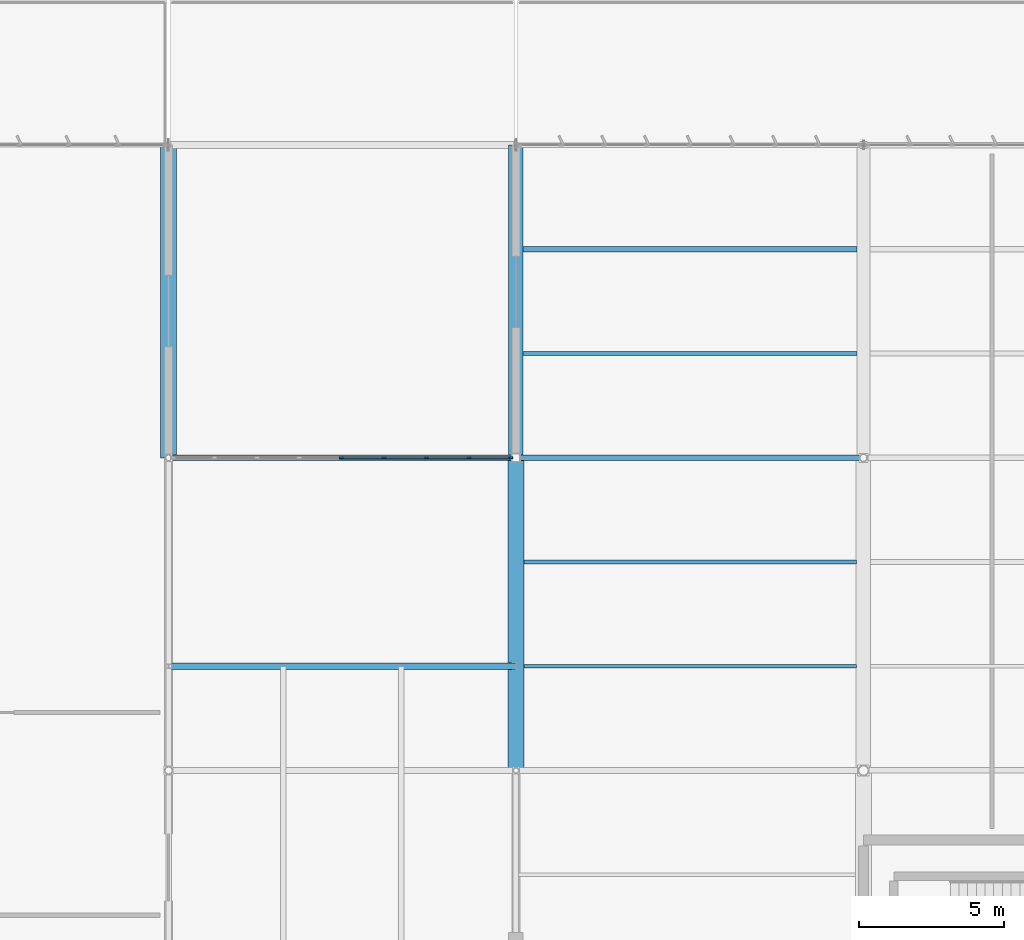
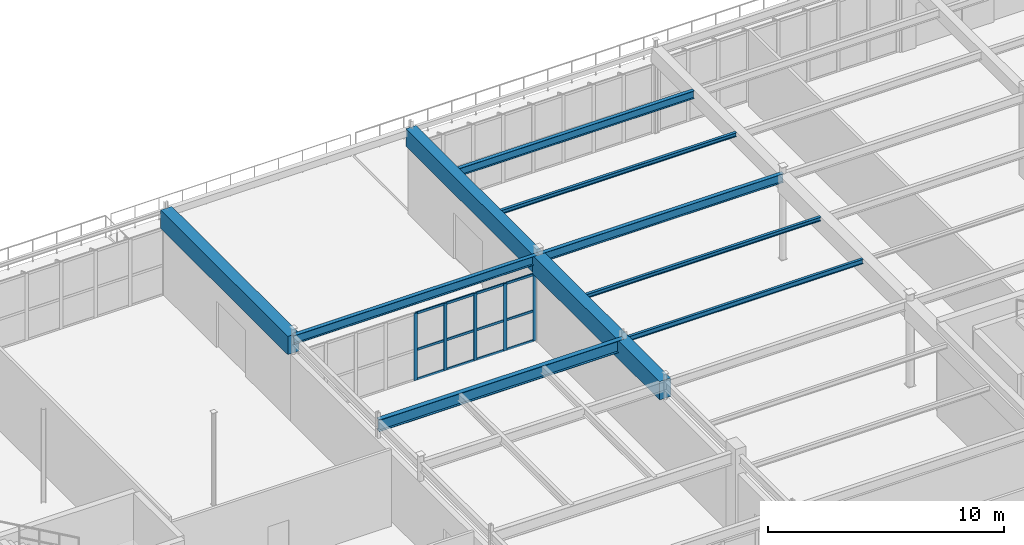
# One storey, part 107 of 199: 17 members, 10 beams, 1 element without a shape of its own.
"""IFC4 building model written with IfcOpenShell, lengths in metres."""

from ifc_helpers import new_model, si_unit, direction, frame, origin, origin_2d, place, context, subcontext, project, spatial, rectangle, i_section, extrude, material, layer, layer_set, material_profile, profile_set, type_object, element, aggregate, save


model = new_model("IFC4")

# Units and contexts
model_context = context("Model", 3, precision=1e-05, world=origin(), true_north=direction((0.0, 1.0)))
body_context = subcontext(model_context, "Body", "Model", "MODEL_VIEW")
ifc_project = project(units=[si_unit("LENGTHUNIT", "METRE"), si_unit("AREAUNIT", "SQUARE_METRE"), si_unit("VOLUMEUNIT", "CUBIC_METRE"), si_unit("PLANEANGLEUNIT", "RADIAN"), si_unit("MASSUNIT", "GRAM", prefix="KILO")], contexts=[model_context])

# Site, building, storey
site_placement = place(None, origin())
site = spatial("IfcSite", under=ifc_project, at=site_placement, CompositionType="ELEMENT")
building_placement = place(site_placement, origin())
building = spatial("IfcBuilding", under=site, at=building_placement, Name="Tarnwether General Hospital", CompositionType="ELEMENT")
storey_placement = place(building_placement, origin())
storey = spatial("IfcBuildingStorey", under=building, at=storey_placement, Name="L00", CompositionType="ELEMENT", Elevation=0.0)

# Beams
ifc_material_1 = material(Name="Steel Grade 350 (350 MPa)", Category="steel")
ifc_material_profile_1 = material_profile(ifc_material_1, i_section(OverallWidth=0.22900390625, OverallDepth=0.612060546875, WebThickness=0.011962890625, FlangeThickness=0.01953125, at=origin_2d()), Name="610UB125")
ifc_profile_set_1 = profile_set([ifc_material_profile_1], Name="Steel Grade 350 (350 MPa)")
beam_type_1 = type_object("IfcBeamType", Name="BM-G03", PredefinedType="BEAM", material=ifc_profile_set_1)
beam_1_placement = place(storey_placement, frame((132.0, 108.0, 4.138916015625), z_axis=(1.0, 0.0, 0.0), x_axis=(0.0, 1.0, 0.0)))
element("IfcBeam", 1, at=beam_1_placement, inside=storey, type_object=beam_type_1, Name="Court Link Bridge Girder North BMG-L00-13200_10800-14400_10800-1859", PredefinedType="BEAM", context=body_context, shape_type="SweptSolid", body=[
    extrude(i_section(OverallWidth=0.22900390625, OverallDepth=0.612060546875, WebThickness=0.011962890625, FlangeThickness=0.01953125, at=origin_2d()), origin(), (0.0, 0.0, 1.0), 12.0),
])
ifc_material_2 = material(Name="Steel Grade 350 (350 MPa)", Category="steel")
ifc_material_profile_2 = material_profile(ifc_material_2, i_section(OverallWidth=0.19091796875, OverallDepth=0.4599609375, WebThickness=0.010009765625, FlangeThickness=0.01611328125, at=origin_2d()), Name="460UB82.1")
ifc_profile_set_2 = profile_set([ifc_material_profile_2], Name="Steel Grade 350 (350 MPa)")
beam_type_2 = type_object("IfcBeamType", Name="BM-G08", PredefinedType="BEAM", material=ifc_profile_set_2)
beam_2_placement = place(storey_placement, frame((132.0, 115.199951171875, 4.215087890625), z_axis=(1.0, 0.0, 0.0), x_axis=(0.0, 1.0, 0.0)))
element("IfcBeam", 2, at=beam_2_placement, inside=storey, type_object=beam_type_2, Name="Primary Girder BMG-L00-13200_11520-14400_11520-0781", PredefinedType="BEAM", context=body_context, shape_type="SweptSolid", body=[
    extrude(i_section(OverallWidth=0.19091796875, OverallDepth=0.4599609375, WebThickness=0.010009765625, FlangeThickness=0.01611328125, at=origin_2d()), origin(), (0.0, 0.0, 1.0), 12.0),
])
ifc_material_3 = material(Name="Steel Grade 350 (350 MPa)", Category="steel")
ifc_material_profile_3 = material_profile(ifc_material_3, i_section(OverallWidth=0.18994140625, OverallDepth=0.45703125, WebThickness=0.009033203125, FlangeThickness=0.014404296875, at=origin_2d()), Name="460UB74.6")
ifc_profile_set_3 = profile_set([ifc_material_profile_3], Name="Steel Grade 350 (350 MPa)")
beam_type_3 = type_object("IfcBeamType", Name="BM-G09", PredefinedType="BEAM", material=ifc_profile_set_3)
beam_3_placement = place(storey_placement, frame((144.0, 115.199951171875, 4.216552734375), z_axis=(1.0, 0.0, 0.0), x_axis=(0.0, 1.0, 0.0)))
element("IfcBeam", 3, at=beam_3_placement, inside=storey, type_object=beam_type_3, Name="Primary Girder BMG-L00-14400_11520-15600_11520-0802", PredefinedType="BEAM", context=body_context, shape_type="SweptSolid", body=[
    extrude(i_section(OverallWidth=0.18994140625, OverallDepth=0.45703125, WebThickness=0.009033203125, FlangeThickness=0.014404296875, at=origin_2d()), origin(), (0.0, 0.0, 1.0), 12.0),
])
ifc_material_4 = material(Name="Concrete 40 MPa", Category="concrete")
ifc_material_profile_4 = material_profile(ifc_material_4, rectangle(XDim=0.550048828125, YDim=0.949951171875, at=origin_2d()), Name="RC-BM-550x950")
ifc_profile_set_4 = profile_set([ifc_material_profile_4], Name="Concrete 40 MPa")
beam_type_4 = type_object("IfcBeamType", Name="BM-G11", PredefinedType="BEAM", material=ifc_profile_set_4)
for number, where, z_axis, x_axis, name in (
    (4, (132.0, 115.199951171875, 3.969970703125), (0.0, 1.0, 0.0), (-1.0, 0.0, 0.0), "Primary Girder BMG-L00-13200_11520-13200_12600-0782"),
    (5, (144.0, 104.39990234375, 3.969970703125), (0.0, 1.0, 0.0), (-1.0, 0.0, 0.0), "Primary Girder BMG-L00-14400_10440-14400_11520-0801"),
):
    element("IfcBeam", number, at=place(storey_placement, frame(where, z_axis=z_axis, x_axis=x_axis)), inside=storey, type_object=beam_type_4, Name=name, PredefinedType="BEAM", context=body_context, shape_type="SweptSolid", body=[
        extrude(rectangle(XDim=0.550048828125, YDim=0.949951171875, at=origin_2d()), origin(), (0.0, 0.0, 1.0), 10.800048828125),
    ])
ifc_material_5 = material(Name="Concrete 40 MPa", Category="concrete")
ifc_material_profile_5 = material_profile(ifc_material_5, rectangle(XDim=0.5, YDim=0.89990234375, at=origin_2d()), Name="RC-BM-500x900")
ifc_profile_set_5 = profile_set([ifc_material_profile_5], Name="Concrete 40 MPa")
beam_type_5 = type_object("IfcBeamType", Name="BM-G12", PredefinedType="BEAM", material=ifc_profile_set_5)
beam_4_placement = place(storey_placement, frame((144.0, 115.199951171875, 3.9951171875), z_axis=(0.0, 1.0, 0.0), x_axis=(-1.0, 0.0, 0.0)))
element("IfcBeam", 6, at=beam_4_placement, inside=storey, type_object=beam_type_5, Name="Primary Girder BMG-L00-14400_11520-14400_12600-0803", PredefinedType="BEAM", context=body_context, shape_type="SweptSolid", body=[
    extrude(rectangle(XDim=0.5, YDim=0.89990234375, at=origin_2d()), origin(), (0.0, 0.0, 1.0), 10.800048828125),
])
ifc_material_6 = material(Name="Steel Grade 350 (350 MPa)", Category="steel")
ifc_material_profile_6 = material_profile(ifc_material_6, i_section(OverallWidth=0.177978515625, OverallDepth=0.406005859375, WebThickness=0.0078125, FlangeThickness=0.0126953125, at=origin_2d()), Name="410UB59.7")
ifc_profile_set_6 = profile_set([ifc_material_profile_6], Name="Steel Grade 350 (350 MPa)")
beam_type_6 = type_object("IfcBeamType", Name="BM-J01", PredefinedType="JOIST", material=ifc_profile_set_6)
beam_5_placement = place(storey_placement, frame((144.243896484375, 122.39990234375, 4.241943359375), z_axis=(1.0, 0.0, 0.0), x_axis=(0.0, 1.0, 0.0)))
element("IfcBeam", 7, at=beam_5_placement, inside=storey, type_object=beam_type_6, Name="Composite Floor Joist BMG-L00-14424_12240-15578_12240-1008", PredefinedType="JOIST", context=body_context, shape_type="SweptSolid", body=[
    extrude(i_section(OverallWidth=0.177978515625, OverallDepth=0.406005859375, WebThickness=0.0078125, FlangeThickness=0.0126953125, at=origin_2d()), origin(), (0.0, 0.0, 1.0), 11.537109375),
])
ifc_material_7 = material(Name="Steel Grade 350 (350 MPa)", Category="steel")
ifc_material_profile_7 = material_profile(ifc_material_7, i_section(OverallWidth=0.1240234375, OverallDepth=0.248046875, WebThickness=0.0048828125, FlangeThickness=0.008056640625, at=origin_2d()), Name="250UB25.7")
ifc_profile_set_7 = profile_set([ifc_material_profile_7], Name="Steel Grade 350 (350 MPa)")
beam_type_7 = type_object("IfcBeamType", Name="BM-J11", PredefinedType="JOIST", material=ifc_profile_set_7)
beam_6_placement = place(storey_placement, frame((144.26904296875, 108.0, 4.321044921875), z_axis=(1.0, 0.0, 0.0), x_axis=(0.0, 1.0, 0.0)))
element("IfcBeam", 8, at=beam_6_placement, inside=storey, type_object=beam_type_7, Name="Composite Floor Joist BMG-L00-14427_10800-15576_10800-1005", PredefinedType="JOIST", context=body_context, shape_type="SweptSolid", body=[
    extrude(i_section(OverallWidth=0.1240234375, OverallDepth=0.248046875, WebThickness=0.0048828125, FlangeThickness=0.008056640625, at=origin_2d()), origin(), (0.0, 0.0, 1.0), 11.487060546875),
])
ifc_material_8 = material(Name="Steel Grade 350 (350 MPa)", Category="steel")
ifc_material_profile_8 = material_profile(ifc_material_8, i_section(OverallWidth=0.134033203125, OverallDepth=0.20703125, WebThickness=0.00634765625, FlangeThickness=0.009521484375, at=origin_2d()), Name="200UB29.8")
ifc_profile_set_8 = profile_set([ifc_material_profile_8], Name="Steel Grade 350 (350 MPa)")
beam_type_8 = type_object("IfcBeamType", Name="BM-J12", PredefinedType="JOIST", material=ifc_profile_set_8)
beam_7_placement = place(storey_placement, frame((144.26904296875, 111.60009765625, 4.341552734375), z_axis=(1.0, 0.0, 0.0), x_axis=(0.0, 1.0, 0.0)))
element("IfcBeam", 9, at=beam_7_placement, inside=storey, type_object=beam_type_8, Name="Composite Floor Joist BMG-L00-14427_11160-15576_11160-1006", PredefinedType="JOIST", context=body_context, shape_type="SweptSolid", body=[
    extrude(i_section(OverallWidth=0.134033203125, OverallDepth=0.20703125, WebThickness=0.00634765625, FlangeThickness=0.009521484375, at=origin_2d()), origin(), (0.0, 0.0, 1.0), 11.487060546875),
])
beam_8_placement = place(storey_placement, frame((144.243896484375, 118.800048828125, 4.341552734375), z_axis=(1.0, 0.0, 0.0), x_axis=(0.0, 1.0, 0.0)))
element("IfcBeam", 10, at=beam_8_placement, inside=storey, type_object=beam_type_8, Name="Composite Floor Joist BMG-L00-14424_11880-15578_11880-1007", PredefinedType="JOIST", context=body_context, shape_type="SweptSolid", body=[
    extrude(i_section(OverallWidth=0.134033203125, OverallDepth=0.20703125, WebThickness=0.00634765625, FlangeThickness=0.009521484375, at=origin_2d()), origin(), (0.0, 0.0, 1.0), 11.537109375),
])

# Curtain wall, members
ifc_material_9 = material(Name="Anodised aluminium", Category="aluminium")
ifc_layer = layer(ifc_material_9, 0.159912109375)
ifc_layer_set = layer_set([ifc_layer], Name="Anodised aluminium")
curtain_wall_type = type_object("IfcCurtainWallType", Name="CW-09", PredefinedType="NOTDEFINED", material=ifc_layer_set)
curtain_wall_placement = place(storey_placement, origin())
curtain_wall = element("IfcCurtainWall", 11, at=curtain_wall_placement, inside=storey, type_object=curtain_wall_type, Name="Curtain Wall CWG-L00-1321_1152-0315", PredefinedType="NOTDEFINED")
ifc_material_10 = material(Name="Anodised aluminium", Category="aluminium")
ifc_material_profile_9 = material_profile(ifc_material_10, rectangle(XDim=0.06005859375, YDim=0.159912109375, at=origin_2d()), Name="ALU-MUL-60x160")
ifc_profile_set_9 = profile_set([ifc_material_profile_9], Name="Anodised aluminium")
member_type_1 = type_object("IfcMemberType", Name="CW-ML1", PredefinedType="MULLION", material=ifc_profile_set_9)
member_1_placement = place(storey_placement, frame((137.97998046875, 115.199951171875, 0.0), z_axis=(0.0, 0.0, 1.0), x_axis=(0.0, 1.0, 0.0)))
member_1 = element("IfcMember", 12, at=member_1_placement, type_object=member_type_1, Name="CW-09 mullion 5", PredefinedType="MULLION", context=body_context, shape_type="SweptSolid", body=[
    extrude(rectangle(XDim=0.06005859375, YDim=0.159912109375, at=origin_2d()), origin(), (0.0, 0.0, 1.0), 3.47998046875),
])
member_2_placement = place(storey_placement, frame((139.445556640625, 115.199951171875, 0.0), z_axis=(0.0, 0.0, 1.0), x_axis=(0.0, 1.0, 0.0)))
member_2 = element("IfcMember", 13, at=member_2_placement, type_object=member_type_1, Name="CW-09 mullion 6", PredefinedType="MULLION", context=body_context, shape_type="SweptSolid", body=[
    extrude(rectangle(XDim=0.06005859375, YDim=0.159912109375, at=origin_2d()), origin(), (0.0, 0.0, 1.0), 3.47998046875),
])
member_3_placement = place(storey_placement, frame((140.910888671875, 115.199951171875, 0.0), z_axis=(0.0, 0.0, 1.0), x_axis=(0.0, 1.0, 0.0)))
member_3 = element("IfcMember", 14, at=member_3_placement, type_object=member_type_1, Name="CW-09 mullion 7", PredefinedType="MULLION", context=body_context, shape_type="SweptSolid", body=[
    extrude(rectangle(XDim=0.06005859375, YDim=0.159912109375, at=origin_2d()), origin(), (0.0, 0.0, 1.0), 3.47998046875),
])
member_4_placement = place(storey_placement, frame((142.37646484375, 115.199951171875, 0.0), z_axis=(0.0, 0.0, 1.0), x_axis=(0.0, 1.0, 0.0)))
member_4 = element("IfcMember", 15, at=member_4_placement, type_object=member_type_1, Name="CW-09 mullion 8", PredefinedType="MULLION", context=body_context, shape_type="SweptSolid", body=[
    extrude(rectangle(XDim=0.06005859375, YDim=0.159912109375, at=origin_2d()), origin(), (0.0, 0.0, 1.0), 3.47998046875),
])
member_5_placement = place(storey_placement, frame((143.81201171875, 115.199951171875, 0.0), z_axis=(0.0, 0.0, 1.0), x_axis=(0.0, 1.0, 0.0)))
member_5 = element("IfcMember", 16, at=member_5_placement, type_object=member_type_1, Name="CW-09 mullion 9", PredefinedType="MULLION", context=body_context, shape_type="SweptSolid", body=[
    extrude(rectangle(XDim=0.06005859375, YDim=0.159912109375, at=origin_2d()), origin(), (0.0, 0.0, 1.0), 3.47998046875),
])
ifc_material_11 = material(Name="Anodised aluminium", Category="aluminium")
ifc_material_profile_10 = material_profile(ifc_material_11, rectangle(XDim=0.06005859375, YDim=0.1201171875, at=origin_2d()), Name="ALU-TRN-60x120")
ifc_profile_set_10 = profile_set([ifc_material_profile_10], Name="Anodised aluminium")
member_type_2 = type_object("IfcMemberType", Name="CW-TR1", PredefinedType="USERDEFINED", material=ifc_profile_set_10)
member_6_placement = place(storey_placement, frame((138.010009765625, 115.199951171875, 0.030029296875), z_axis=(1.0, 0.0, 0.0), x_axis=(0.0, 1.0, 0.0)))
member_6 = element("IfcMember", 17, at=member_6_placement, type_object=member_type_2, Name="CW-09 transom 5.1", ObjectType="TRANSOM", PredefinedType="USERDEFINED", context=body_context, shape_type="SweptSolid", body=[
    extrude(rectangle(XDim=0.06005859375, YDim=0.1201171875, at=origin_2d()), origin(), (0.0, 0.0, 1.0), 1.405517578125),
])
member_7_placement = place(storey_placement, frame((138.010009765625, 115.199951171875, 1.56591796875), z_axis=(1.0, 0.0, 0.0), x_axis=(0.0, 1.0, 0.0)))
member_7 = element("IfcMember", 18, at=member_7_placement, type_object=member_type_2, Name="CW-09 transom 5.2", ObjectType="TRANSOM", PredefinedType="USERDEFINED", context=body_context, shape_type="SweptSolid", body=[
    extrude(rectangle(XDim=0.06005859375, YDim=0.1201171875, at=origin_2d()), origin(), (0.0, 0.0, 1.0), 1.405517578125),
])
member_8_placement = place(storey_placement, frame((138.010009765625, 115.199951171875, 3.449951171875), z_axis=(1.0, 0.0, 0.0), x_axis=(0.0, 1.0, 0.0)))
member_8 = element("IfcMember", 19, at=member_8_placement, type_object=member_type_2, Name="CW-09 transom 5.3", ObjectType="TRANSOM", PredefinedType="USERDEFINED", context=body_context, shape_type="SweptSolid", body=[
    extrude(rectangle(XDim=0.06005859375, YDim=0.1201171875, at=origin_2d()), origin(), (0.0, 0.0, 1.0), 1.405517578125),
])
member_9_placement = place(storey_placement, frame((139.4755859375, 115.199951171875, 0.030029296875), z_axis=(1.0, 0.0, 0.0), x_axis=(0.0, 1.0, 0.0)))
member_9 = element("IfcMember", 20, at=member_9_placement, type_object=member_type_2, Name="CW-09 transom 6.1", ObjectType="TRANSOM", PredefinedType="USERDEFINED", context=body_context, shape_type="SweptSolid", body=[
    extrude(rectangle(XDim=0.06005859375, YDim=0.1201171875, at=origin_2d()), origin(), (0.0, 0.0, 1.0), 1.405517578125),
])
member_10_placement = place(storey_placement, frame((139.4755859375, 115.199951171875, 1.56591796875), z_axis=(1.0, 0.0, 0.0), x_axis=(0.0, 1.0, 0.0)))
member_10 = element("IfcMember", 21, at=member_10_placement, type_object=member_type_2, Name="CW-09 transom 6.2", ObjectType="TRANSOM", PredefinedType="USERDEFINED", context=body_context, shape_type="SweptSolid", body=[
    extrude(rectangle(XDim=0.06005859375, YDim=0.1201171875, at=origin_2d()), origin(), (0.0, 0.0, 1.0), 1.405517578125),
])
member_11_placement = place(storey_placement, frame((139.4755859375, 115.199951171875, 3.449951171875), z_axis=(1.0, 0.0, 0.0), x_axis=(0.0, 1.0, 0.0)))
member_11 = element("IfcMember", 22, at=member_11_placement, type_object=member_type_2, Name="CW-09 transom 6.3", ObjectType="TRANSOM", PredefinedType="USERDEFINED", context=body_context, shape_type="SweptSolid", body=[
    extrude(rectangle(XDim=0.06005859375, YDim=0.1201171875, at=origin_2d()), origin(), (0.0, 0.0, 1.0), 1.405517578125),
])
member_12_placement = place(storey_placement, frame((140.94091796875, 115.199951171875, 0.030029296875), z_axis=(1.0, 0.0, 0.0), x_axis=(0.0, 1.0, 0.0)))
member_12 = element("IfcMember", 23, at=member_12_placement, type_object=member_type_2, Name="CW-09 transom 7.1", ObjectType="TRANSOM", PredefinedType="USERDEFINED", context=body_context, shape_type="SweptSolid", body=[
    extrude(rectangle(XDim=0.06005859375, YDim=0.1201171875, at=origin_2d()), origin(), (0.0, 0.0, 1.0), 1.405517578125),
])
member_13_placement = place(storey_placement, frame((140.94091796875, 115.199951171875, 1.56591796875), z_axis=(1.0, 0.0, 0.0), x_axis=(0.0, 1.0, 0.0)))
member_13 = element("IfcMember", 24, at=member_13_placement, type_object=member_type_2, Name="CW-09 transom 7.2", ObjectType="TRANSOM", PredefinedType="USERDEFINED", context=body_context, shape_type="SweptSolid", body=[
    extrude(rectangle(XDim=0.06005859375, YDim=0.1201171875, at=origin_2d()), origin(), (0.0, 0.0, 1.0), 1.405517578125),
])
member_14_placement = place(storey_placement, frame((140.94091796875, 115.199951171875, 3.449951171875), z_axis=(1.0, 0.0, 0.0), x_axis=(0.0, 1.0, 0.0)))
member_14 = element("IfcMember", 25, at=member_14_placement, type_object=member_type_2, Name="CW-09 transom 7.3", ObjectType="TRANSOM", PredefinedType="USERDEFINED", context=body_context, shape_type="SweptSolid", body=[
    extrude(rectangle(XDim=0.06005859375, YDim=0.1201171875, at=origin_2d()), origin(), (0.0, 0.0, 1.0), 1.405517578125),
])
member_15_placement = place(storey_placement, frame((142.406494140625, 115.199951171875, 0.030029296875), z_axis=(1.0, 0.0, 0.0), x_axis=(0.0, 1.0, 0.0)))
member_15 = element("IfcMember", 26, at=member_15_placement, type_object=member_type_2, Name="CW-09 transom 8.1", ObjectType="TRANSOM", PredefinedType="USERDEFINED", context=body_context, shape_type="SweptSolid", body=[
    extrude(rectangle(XDim=0.06005859375, YDim=0.1201171875, at=origin_2d()), origin(), (0.0, 0.0, 1.0), 1.37548828125),
])
member_16_placement = place(storey_placement, frame((142.406494140625, 115.199951171875, 1.56591796875), z_axis=(1.0, 0.0, 0.0), x_axis=(0.0, 1.0, 0.0)))
member_16 = element("IfcMember", 27, at=member_16_placement, type_object=member_type_2, Name="CW-09 transom 8.2", ObjectType="TRANSOM", PredefinedType="USERDEFINED", context=body_context, shape_type="SweptSolid", body=[
    extrude(rectangle(XDim=0.06005859375, YDim=0.1201171875, at=origin_2d()), origin(), (0.0, 0.0, 1.0), 1.37548828125),
])
member_17_placement = place(storey_placement, frame((142.406494140625, 115.199951171875, 3.449951171875), z_axis=(1.0, 0.0, 0.0), x_axis=(0.0, 1.0, 0.0)))
member_17 = element("IfcMember", 28, at=member_17_placement, type_object=member_type_2, Name="CW-09 transom 8.3", ObjectType="TRANSOM", PredefinedType="USERDEFINED", context=body_context, shape_type="SweptSolid", body=[
    extrude(rectangle(XDim=0.06005859375, YDim=0.1201171875, at=origin_2d()), origin(), (0.0, 0.0, 1.0), 1.37548828125),
])
aggregate(curtain_wall, [member_1, member_2, member_3, member_4, member_5, member_6, member_7, member_8, member_9, member_10, member_11, member_12, member_13, member_14, member_15, member_16, member_17])

save(model, "model.ifc")
